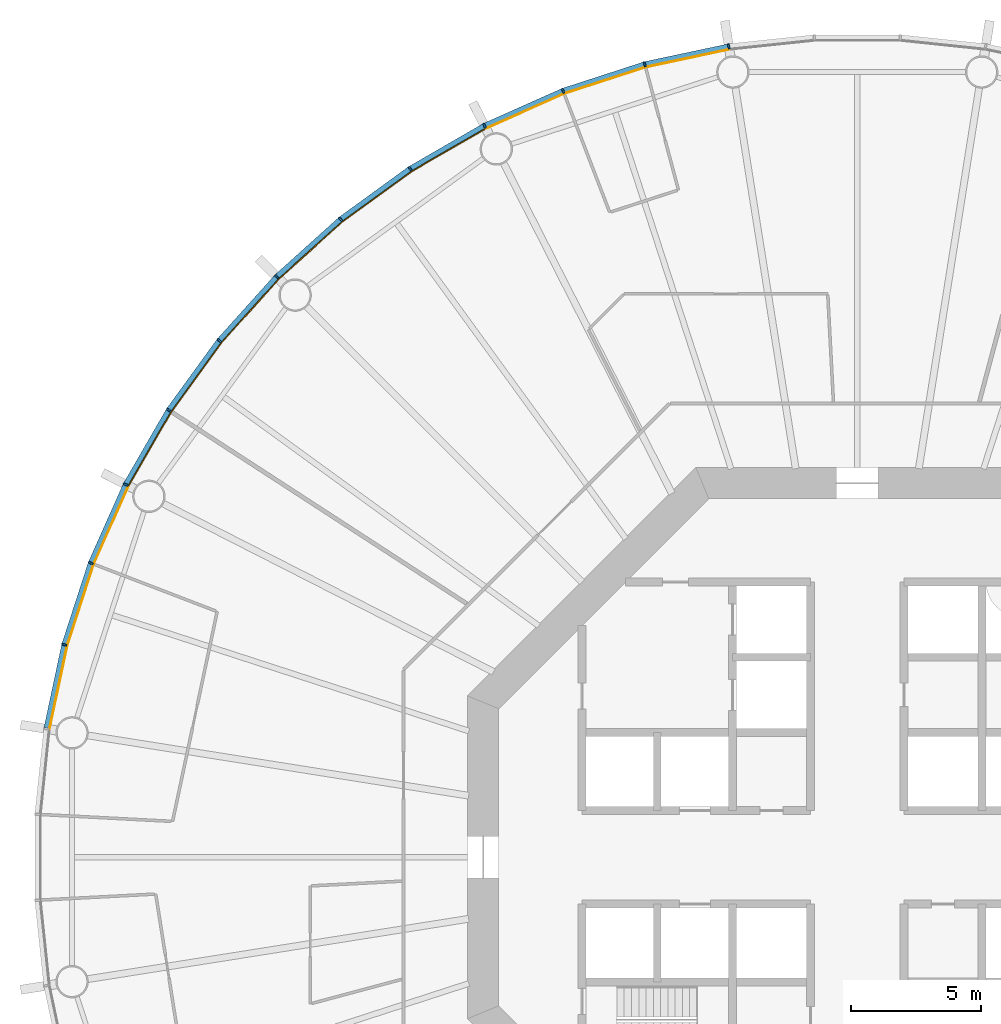
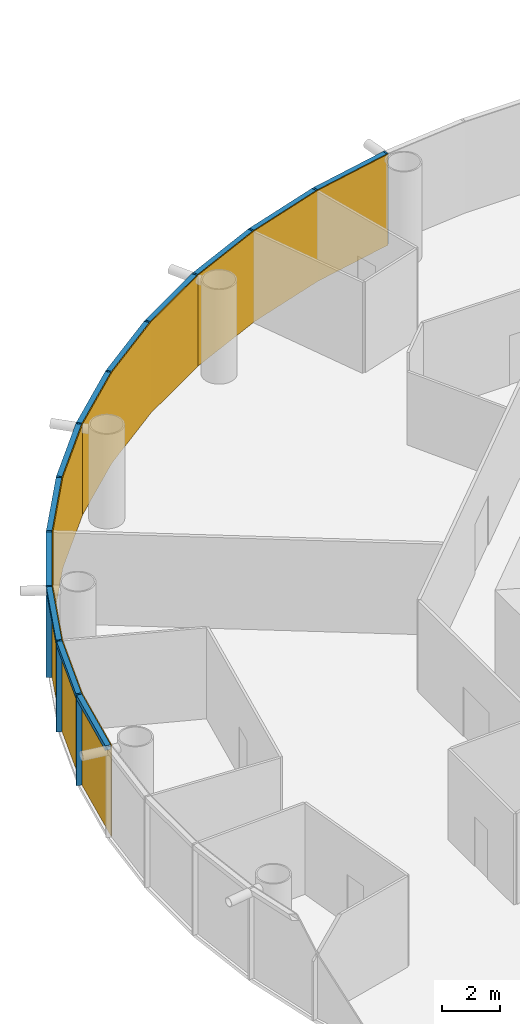
# One storey, part 10 of 13: 24 members, 4 curtain walls.
"""IFC4 building model written with IfcOpenShell, lengths in metres."""

import ifcopenshell
import ifcopenshell.guid

model = None  # the IFC model being written
_history = None  # IfcOwnerHistory: only IFC2X3 demands one
_inside = {}  # id of a spatial element -> (the spatial element, [elements in it])
_under = {}  # id of a project, library or spatial element -> (it, [spatial elements below it])
_declared = {}  # id of a project -> (the project, [libraries it declares])
_typed = {}  # id of a type object -> (the type object, [elements of that type])
_made_of = {}  # id of a material, layer set ... -> (it, [elements and type objects made of it])


def new_model(schema):
    """Start an empty IFC model of exactly this schema.

    Asked for "IFC4X3", IfcOpenShell would pick the latest addendum, in which some entities
    have other attributes; the version numbers below select the first issue.
    IFC2X3 requires an IfcOwnerHistory on every rooted entity: one is made here for all.
    """
    global model, _history
    if schema == "IFC4X3":
        model = ifcopenshell.file(schema_version=(4, 3, 0, 0))
    else:
        model = ifcopenshell.file(schema=schema)
    _inside.clear()
    _under.clear()
    _declared.clear()
    _typed.clear()
    _made_of.clear()
    _history = None
    if model.schema == "IFC2X3":
        org = make("IfcOrganization", Name="unknown")
        user = make(
            "IfcPersonAndOrganization",
            ThePerson=make("IfcPerson", FamilyName="unknown"),
            TheOrganization=org,
        )
        app = make(
            "IfcApplication",
            ApplicationDeveloper=org,
            Version="unknown",
            ApplicationFullName="unknown",
            ApplicationIdentifier="unknown",
        )
        _history = make(
            "IfcOwnerHistory",
            OwningUser=user,
            OwningApplication=app,
            ChangeAction="ADDED",
            CreationDate=0,
        )
    return model


def make(cls, **values):
    """One entity of the class cls with the attributes given. An attribute that is None is left unset."""
    return model.create_entity(
        cls, **{name: value for name, value in values.items() if value is not None}
    )


def rooted(cls, **values):
    """An entity with a GlobalId (a new one), such as an element, a storey or a relation."""
    return make(cls, GlobalId=ifcopenshell.guid.new(), OwnerHistory=_history, **values)


def si_unit(unit_type, name, prefix=None):
    """IfcSIUnit, for example si_unit("LENGTHUNIT", "METRE", prefix="MILLI")."""
    return make("IfcSIUnit", UnitType=unit_type, Prefix=prefix, Name=name)


def assignment(units):
    """IfcUnitAssignment: the units of a project."""
    return None if units is None else make("IfcUnitAssignment", Units=units)


def point(xyz):
    """IfcCartesianPoint."""
    return None if xyz is None else make("IfcCartesianPoint", Coordinates=xyz)


def direction(xyz):
    """IfcDirection."""
    return None if xyz is None else make("IfcDirection", DirectionRatios=xyz)


def frame(location, z_axis=None, x_axis=None):
    """IfcAxis2Placement3D, a coordinate frame: its origin and axes. An axis left out is left unset."""
    return make(
        "IfcAxis2Placement3D",
        Location=point(location),
        Axis=direction(z_axis),
        RefDirection=direction(x_axis),
    )


def frame_2d(location, x_axis=None):
    """IfcAxis2Placement2D, a coordinate frame in the plane: its origin and x axis."""
    return make(
        "IfcAxis2Placement2D", Location=point(location), RefDirection=direction(x_axis)
    )


def origin():
    """The frame at (0, 0, 0) with its axes left unset."""
    return frame((0.0, 0.0, 0.0))


def origin_2d():
    """The frame at (0, 0) in the plane with its x axis left unset."""
    return frame_2d((0.0, 0.0))


def place(relative_to, where):
    """IfcLocalPlacement: puts the frame where relative to a parent placement (None: the world)."""
    return make(
        "IfcLocalPlacement", PlacementRelTo=relative_to, RelativePlacement=where
    )


def context(
    kind, dimensions, precision=None, world=None, true_north=None, identifier=None
):
    """IfcGeometricRepresentationContext, for example the 3D "Model" context."""
    return make(
        "IfcGeometricRepresentationContext",
        ContextIdentifier=identifier,
        ContextType=kind,
        CoordinateSpaceDimension=dimensions,
        Precision=precision,
        WorldCoordinateSystem=world,
        TrueNorth=true_north,
    )


def subcontext(parent, identifier, kind, view, scale=None):
    """IfcGeometricRepresentationSubContext, for example "Body" below "Model"."""
    return make(
        "IfcGeometricRepresentationSubContext",
        ContextIdentifier=identifier,
        ContextType=kind,
        ParentContext=parent,
        TargetScale=scale,
        TargetView=view,
    )


def project(units=None, contexts=None):
    """IfcProject with its units and contexts."""
    return rooted(
        "IfcProject",
        Name="project",
        RepresentationContexts=contexts,
        UnitsInContext=assignment(units),
    )


def spatial(cls, under=None, at=None, **own):
    """A site, building, storey or space (cls), placed at a placement, below another one or the project."""
    s = rooted(cls, ObjectPlacement=at, **own)
    if under is not None:
        _under.setdefault(under.id(), (under, []))[1].append(s)
    return s


def polyline(points):
    """IfcPolyline through the points."""
    return make("IfcPolyline", Points=[point(p) for p in points])


def profile(cls, at=None, kind="AREA", **sizes):
    """A parametric profile (cls). Its sizes go by their IFC names, for example OverallWidth=200.0."""
    return make(cls, ProfileType=kind, Position=at, **sizes)


def rectangle(**sizes):
    """IfcRectangleProfileDef."""
    return profile("IfcRectangleProfileDef", **sizes)


def outline(outer, holes=None, kind="AREA"):
    """IfcArbitraryClosedProfileDef: a profile drawn as a closed curve; with holes, ...WithVoids."""
    if holes is None:
        return make("IfcArbitraryClosedProfileDef", ProfileType=kind, OuterCurve=outer)
    return make(
        "IfcArbitraryProfileDefWithVoids",
        ProfileType=kind,
        OuterCurve=outer,
        InnerCurves=holes,
    )


def extrude(swept, where, along, depth):
    """IfcExtrudedAreaSolid: the profile swept, set in the frame where, extruded along a direction by depth."""
    return make(
        "IfcExtrudedAreaSolid",
        SweptArea=swept,
        Position=where,
        ExtrudedDirection=direction(along),
        Depth=depth,
    )


def shape(context_of_items, identifier, shape_type, items):
    """IfcShapeRepresentation: the items that make up one representation, for example the "Body"."""
    return make(
        "IfcShapeRepresentation",
        ContextOfItems=context_of_items,
        RepresentationIdentifier=identifier,
        RepresentationType=shape_type,
        Items=items,
    )


def material(Name=None, Category=None):
    """IfcMaterial."""
    return make("IfcMaterial", Name=Name, Category=Category)


def layer(
    of_material, thickness, ventilated=None, Name=None, Category=None, Priority=None
):
    """IfcMaterialLayer: one layer of a wall or slab, of a material (None: an air gap)."""
    return make(
        "IfcMaterialLayer",
        Material=of_material,
        LayerThickness=thickness,
        IsVentilated=ventilated,
        Name=Name,
        Category=Category,
        Priority=Priority,
    )


def layer_set(layers, Name=None):
    """IfcMaterialLayerSet."""
    return make("IfcMaterialLayerSet", MaterialLayers=layers, LayerSetName=Name)


def material_profile(
    of_material, cross_section, Name=None, Category=None, Priority=None
):
    """IfcMaterialProfile: a cross section and its material."""
    return make(
        "IfcMaterialProfile",
        Name=Name,
        Material=of_material,
        Profile=cross_section,
        Priority=Priority,
        Category=Category,
    )


def profile_set(profiles, Name=None, composite=None):
    """IfcMaterialProfileSet."""
    return make(
        "IfcMaterialProfileSet",
        Name=Name,
        MaterialProfiles=profiles,
        CompositeProfile=composite,
    )


def made_of(thing, what):
    """Note that an element or type object is made of a material, layer set ...; save() writes the relation."""
    if what is not None:
        _made_of.setdefault(what.id(), (what, []))[1].append(thing)
    return thing


def type_object(cls, material=None, **own):
    """A type object (cls), such as IfcWallType, which elements share."""
    return made_of(rooted(cls, **own), material)


def element(
    cls,
    number,
    at=None,
    inside=None,
    cuts=None,
    type_object=None,
    material=None,
    context=None,
    identifier="Body",
    shape_type=None,
    held_by="IfcProductDefinitionShape",
    body=None,
    shapes=None,
    **own,
):
    """One element of the class cls, such as IfcWall. Its Tag is "e" and its number.

    at: its placement. inside: the storey or other place that contains it. cuts: it is an
    opening in that element (IfcRelVoidsElement). A single representation is given by context,
    identifier, shape_type and body (its items); several are given by shapes. held_by: the class
    of the entity that holds the representations. save() writes the other relations.
    """
    e = rooted(cls, Tag="e%d" % number, ObjectPlacement=at, **own)
    if body is not None:
        shapes = [shape(context, identifier, shape_type, body)]
    if shapes is not None:
        e.Representation = make(held_by, Representations=shapes)
    if inside is not None:
        _inside.setdefault(inside.id(), (inside, []))[1].append(e)
    if cuts is not None:
        rooted(
            "IfcRelVoidsElement", RelatingBuildingElement=cuts, RelatedOpeningElement=e
        )
    if type_object is not None:
        _typed.setdefault(type_object.id(), (type_object, []))[1].append(e)
    return made_of(e, material)


def aggregate(whole, parts):
    """IfcRelAggregates: a whole, such as a stair, and the parts it consists of."""
    return rooted("IfcRelAggregates", RelatingObject=whole, RelatedObjects=parts)


def save(model, path):
    """Write the relations noted so far, then the file.

    IfcRelAggregates (storeys below a building ...), IfcRelContainedInSpatialStructure (elements
    in a storey), IfcRelDefinesByType, IfcRelAssociatesMaterial and IfcRelDeclares: one each for
    every whole, place, type object, material and project.
    """
    for whole, parts in _under.values():
        aggregate(whole, parts)
    for where, things in _inside.values():
        rooted(
            "IfcRelContainedInSpatialStructure",
            RelatedElements=things,
            RelatingStructure=where,
        )
    for kind, things in _typed.values():
        rooted("IfcRelDefinesByType", RelatedObjects=things, RelatingType=kind)
    for what, things in _made_of.values():
        rooted("IfcRelAssociatesMaterial", RelatedObjects=things, RelatingMaterial=what)
    for by, libraries in _declared.values():
        rooted("IfcRelDeclares", RelatingContext=by, RelatedDefinitions=libraries)
    model.write(path)


model = new_model("IFC4")

# Units and contexts
model_context = context("Model", 3, precision=1e-05, world=origin(), true_north=direction((0.0, 1.0)))
body_context = subcontext(model_context, "Body", "Model", "MODEL_VIEW")
ifc_project = project(units=[si_unit("LENGTHUNIT", "METRE"), si_unit("AREAUNIT", "SQUARE_METRE"), si_unit("VOLUMEUNIT", "CUBIC_METRE"), si_unit("PLANEANGLEUNIT", "RADIAN"), si_unit("MASSUNIT", "GRAM", prefix="KILO")], contexts=[model_context])

# Member
ifc_material_1 = material(Name="Anodised aluminium", Category="aluminium")
ifc_material_profile_1 = material_profile(ifc_material_1, rectangle(XDim=0.070068359375, YDim=0.199951171875, at=origin_2d()), Name="Mullion 70 x 200 mm anodised aluminium")
ifc_profile_set_1 = profile_set([ifc_material_profile_1], Name="Anodised aluminium")
member_type_1 = type_object("IfcMemberType", Name="Mullion 70 x 200 mm anodised aluminium", PredefinedType="MULLION", material=ifc_profile_set_1)
site_placement = place(None, origin())
building_placement = place(site_placement, origin())
storey_placement = place(building_placement, frame((0.0, 0.0, 92.0)))
member_1_placement = place(storey_placement, frame((85.056640625, 111.2109375, 0.0), z_axis=(0.0, 0.0, 1.0), x_axis=(-0.987688340595, -0.15643446504, 0.0)))
member_1 = element("IfcMember", 1, at=member_1_placement, type_object=member_type_1, Name="MULLION L20-15", PredefinedType="MULLION", context=body_context, shape_type="SweptSolid", body=[
    extrude(rectangle(XDim=0.070068359375, YDim=0.199951171875, at=origin_2d()), origin(), (0.0, 0.0, 1.0), 3.85009765625),
])

member_2_placement = place(storey_placement, frame((81.8212890625, 110.523193359375, 0.0), z_axis=(0.0, 0.0, 1.0), x_axis=(-0.965925826289, -0.258819045103, 0.0)))
member_2 = element("IfcMember", 2, at=member_2_placement, type_object=member_type_1, Name="MULLION L20-16", PredefinedType="MULLION", context=body_context, shape_type="SweptSolid", body=[
    extrude(rectangle(XDim=0.070068359375, YDim=0.199951171875, at=origin_2d()), origin(), (0.0, 0.0, 1.0), 3.85009765625),
])

member_3_placement = place(storey_placement, frame((78.675537109375, 109.501220703125, 0.0), z_axis=(0.0, 0.0, 1.0), x_axis=(-0.933580426497, -0.358367949545, 0.0)))
member_3 = element("IfcMember", 3, at=member_3_placement, type_object=member_type_1, Name="MULLION L20-17", PredefinedType="MULLION", context=body_context, shape_type="SweptSolid", body=[
    extrude(rectangle(XDim=0.070068359375, YDim=0.199951171875, at=origin_2d()), origin(), (0.0, 0.0, 1.0), 3.85009765625),
])

member_4_placement = place(storey_placement, frame((75.65380859375, 108.15576171875, 0.0), z_axis=(0.0, 0.0, 1.0), x_axis=(-0.891006524188, -0.45399049974, 0.0)))
member_4 = element("IfcMember", 4, at=member_4_placement, type_object=member_type_1, Name="MULLION L20-18", PredefinedType="MULLION", context=body_context, shape_type="SweptSolid", body=[
    extrude(rectangle(XDim=0.070068359375, YDim=0.199951171875, at=origin_2d()), origin(), (0.0, 0.0, 1.0), 3.85009765625),
])

member_5_placement = place(storey_placement, frame((72.789306640625, 106.501953125, 0.0), z_axis=(0.0, 0.0, 1.0), x_axis=(-0.838670567945, -0.544639035015, 0.0)))
member_5 = element("IfcMember", 5, at=member_5_placement, type_object=member_type_1, Name="MULLION L20-19", PredefinedType="MULLION", context=body_context, shape_type="SweptSolid", body=[
    extrude(rectangle(XDim=0.070068359375, YDim=0.199951171875, at=origin_2d()), origin(), (0.0, 0.0, 1.0), 3.85009765625),
])

member_6_placement = place(storey_placement, frame((70.113525390625, 104.557861328125, 0.0), z_axis=(0.0, 0.0, 1.0), x_axis=(-0.777145961457, -0.62932039105, 0.0)))
member_6 = element("IfcMember", 6, at=member_6_placement, type_object=member_type_1, Name="MULLION L20-20", PredefinedType="MULLION", context=body_context, shape_type="SweptSolid", body=[
    extrude(rectangle(XDim=0.070068359375, YDim=0.199951171875, at=origin_2d()), origin(), (0.0, 0.0, 1.0), 3.85009765625),
])

member_7_placement = place(storey_placement, frame((67.655517578125, 102.344482421875, 0.0), z_axis=(0.0, 0.0, 1.0), x_axis=(-0.707106781187, -0.707106781187, 0.0)))
member_7 = element("IfcMember", 7, at=member_7_placement, type_object=member_type_1, Name="MULLION L20-21", PredefinedType="MULLION", context=body_context, shape_type="SweptSolid", body=[
    extrude(rectangle(XDim=0.070068359375, YDim=0.199951171875, at=origin_2d()), origin(), (0.0, 0.0, 1.0), 3.85009765625),
])

member_8_placement = place(storey_placement, frame((65.442138671875, 99.886474609375, 0.0), z_axis=(0.0, 0.0, 1.0), x_axis=(-0.62932039105, -0.777145961457, 0.0)))
member_8 = element("IfcMember", 8, at=member_8_placement, type_object=member_type_1, Name="MULLION L20-22", PredefinedType="MULLION", context=body_context, shape_type="SweptSolid", body=[
    extrude(rectangle(XDim=0.070068359375, YDim=0.199951171875, at=origin_2d()), origin(), (0.0, 0.0, 1.0), 3.85009765625),
])

member_9_placement = place(storey_placement, frame((63.498046875, 97.210693359375, 0.0), z_axis=(0.0, 0.0, 1.0), x_axis=(-0.544639035015, -0.838670567945, 0.0)))
member_9 = element("IfcMember", 9, at=member_9_placement, type_object=member_type_1, Name="MULLION L20-23", PredefinedType="MULLION", context=body_context, shape_type="SweptSolid", body=[
    extrude(rectangle(XDim=0.070068359375, YDim=0.199951171875, at=origin_2d()), origin(), (0.0, 0.0, 1.0), 3.85009765625),
])

member_10_placement = place(storey_placement, frame((61.84423828125, 94.34619140625, 0.0), z_axis=(0.0, 0.0, 1.0), x_axis=(-0.45399049974, -0.891006524188, 0.0)))
member_10 = element("IfcMember", 10, at=member_10_placement, type_object=member_type_1, Name="MULLION L20-24", PredefinedType="MULLION", context=body_context, shape_type="SweptSolid", body=[
    extrude(rectangle(XDim=0.070068359375, YDim=0.199951171875, at=origin_2d()), origin(), (0.0, 0.0, 1.0), 3.85009765625),
])

member_11_placement = place(storey_placement, frame((60.498779296875, 91.324462890625, 0.0), z_axis=(0.0, 0.0, 1.0), x_axis=(-0.358367949545, -0.933580426497, 0.0)))
member_11 = element("IfcMember", 11, at=member_11_placement, type_object=member_type_1, Name="MULLION L20-25", PredefinedType="MULLION", context=body_context, shape_type="SweptSolid", body=[
    extrude(rectangle(XDim=0.070068359375, YDim=0.199951171875, at=origin_2d()), origin(), (0.0, 0.0, 1.0), 3.85009765625),
])

member_12_placement = place(storey_placement, frame((59.476806640625, 88.1787109375, 0.0), z_axis=(0.0, 0.0, 1.0), x_axis=(-0.258819045103, -0.965925826289, 0.0)))
member_12 = element("IfcMember", 12, at=member_12_placement, type_object=member_type_1, Name="MULLION L20-26", PredefinedType="MULLION", context=body_context, shape_type="SweptSolid", body=[
    extrude(rectangle(XDim=0.070068359375, YDim=0.199951171875, at=origin_2d()), origin(), (0.0, 0.0, 1.0), 3.85009765625),
])

ifc_material_2 = material(Name="Anodised aluminium", Category="aluminium")
ifc_material_profile_2 = material_profile(ifc_material_2, rectangle(XDim=0.199951171875, YDim=0.18994140625, at=origin_2d()), Name="Transom 190 x 200 mm anodised aluminium")
ifc_profile_set_2 = profile_set([ifc_material_profile_2], Name="Anodised aluminium")
member_type_2 = type_object("IfcMemberType", Name="Transom 190 x 200 mm anodised aluminium", PredefinedType="USERDEFINED", material=ifc_profile_set_2)
member_13_placement = place(storey_placement, frame((85.017333984375, 111.20263671875, 3.7548828125), z_axis=(-0.978153082647, -0.207885898771, 0.0), x_axis=(0.207885898771, -0.978153082647, 0.0)))
member_13 = element("IfcMember", 13, at=member_13_placement, type_object=member_type_2, Name="TRANSOM L20-15", ObjectType="TRANSOM", PredefinedType="USERDEFINED", context=body_context, shape_type="SweptSolid", body=[
    extrude(rectangle(XDim=0.199951171875, YDim=0.18994140625, at=origin_2d()), origin(), (0.0, 0.0, 1.0), 3.227294921875),
])

member_14_placement = place(storey_placement, frame((81.782958984375, 110.510986328125, 3.7548828125), z_axis=(-0.951046855117, -0.309046726844, 0.0), x_axis=(0.309046726844, -0.951046855117, 0.0)))
member_14 = element("IfcMember", 14, at=member_14_placement, type_object=member_type_2, Name="TRANSOM L20-16", ObjectType="TRANSOM", PredefinedType="USERDEFINED", context=body_context, shape_type="SweptSolid", body=[
    extrude(rectangle(XDim=0.199951171875, YDim=0.18994140625, at=origin_2d()), origin(), (0.0, 0.0, 1.0), 3.22705078125),
])

member_15_placement = place(storey_placement, frame((78.638671875, 109.48486328125, 3.7548828125), z_axis=(-0.913549291349, -0.406728032322, 0.0), x_axis=(0.406728032322, -0.913549291349, 0.0)))
member_15 = element("IfcMember", 15, at=member_15_placement, type_object=member_type_2, Name="TRANSOM L20-17", ObjectType="TRANSOM", PredefinedType="USERDEFINED", context=body_context, shape_type="SweptSolid", body=[
    extrude(rectangle(XDim=0.199951171875, YDim=0.18994140625, at=origin_2d()), origin(), (0.0, 0.0, 1.0), 3.22705078125),
])

member_16_placement = place(storey_placement, frame((75.618896484375, 108.1357421875, 3.7548828125), z_axis=(-0.866023062494, -0.500004055213, 0.0), x_axis=(0.500004055213, -0.866023062494, 0.0)))
member_16 = element("IfcMember", 16, at=member_16_placement, type_object=member_type_2, Name="TRANSOM L20-18", ObjectType="TRANSOM", PredefinedType="USERDEFINED", context=body_context, shape_type="SweptSolid", body=[
    extrude(rectangle(XDim=0.199951171875, YDim=0.18994140625, at=origin_2d()), origin(), (0.0, 0.0, 1.0), 3.22705078125),
])

member_17_placement = place(storey_placement, frame((72.7568359375, 106.478515625, 3.7548828125), z_axis=(-0.809004252048, -0.587802790201, 0.0), x_axis=(0.587802790201, -0.809004252048, 0.0)))
member_17 = element("IfcMember", 17, at=member_17_placement, type_object=member_type_2, Name="TRANSOM L20-19", ObjectType="TRANSOM", PredefinedType="USERDEFINED", context=body_context, shape_type="SweptSolid", body=[
    extrude(rectangle(XDim=0.199951171875, YDim=0.18994140625, at=origin_2d()), origin(), (0.0, 0.0, 1.0), 3.227294921875),
])

member_18_placement = place(storey_placement, frame((70.08349609375, 104.531005859375, 3.7548828125), z_axis=(-0.743132370743, -0.669144438484, 0.0), x_axis=(0.669144438484, -0.743132370743, 0.0)))
member_18 = element("IfcMember", 18, at=member_18_placement, type_object=member_type_2, Name="TRANSOM L20-20", ObjectType="TRANSOM", PredefinedType="USERDEFINED", context=body_context, shape_type="SweptSolid", body=[
    extrude(rectangle(XDim=0.199951171875, YDim=0.18994140625, at=origin_2d()), origin(), (0.0, 0.0, 1.0), 3.22705078125),
])

member_19_placement = place(storey_placement, frame((67.62841796875, 102.314697265625, 3.7548828125), z_axis=(-0.669144438484, -0.743132370743, 0.0), x_axis=(0.743132370743, -0.669144438484, 0.0)))
member_19 = element("IfcMember", 19, at=member_19_placement, type_object=member_type_2, Name="TRANSOM L20-21", ObjectType="TRANSOM", PredefinedType="USERDEFINED", context=body_context, shape_type="SweptSolid", body=[
    extrude(rectangle(XDim=0.199951171875, YDim=0.18994140625, at=origin_2d()), origin(), (0.0, 0.0, 1.0), 3.22705078125),
])

member_20_placement = place(storey_placement, frame((65.41845703125, 99.85400390625, 3.7548828125), z_axis=(-0.587802790201, -0.809004252048, 0.0), x_axis=(0.809004252048, -0.587802790201, 0.0)))
member_20 = element("IfcMember", 20, at=member_20_placement, type_object=member_type_2, Name="TRANSOM L20-22", ObjectType="TRANSOM", PredefinedType="USERDEFINED", context=body_context, shape_type="SweptSolid", body=[
    extrude(rectangle(XDim=0.199951171875, YDim=0.18994140625, at=origin_2d()), origin(), (0.0, 0.0, 1.0), 3.227294921875),
])

member_21_placement = place(storey_placement, frame((63.477783203125, 97.17578125, 3.7548828125), z_axis=(-0.500004055213, -0.866023062494, 0.0), x_axis=(0.866023062494, -0.500004055213, 0.0)))
member_21 = element("IfcMember", 21, at=member_21_placement, type_object=member_type_2, Name="TRANSOM L20-23", ObjectType="TRANSOM", PredefinedType="USERDEFINED", context=body_context, shape_type="SweptSolid", body=[
    extrude(rectangle(XDim=0.199951171875, YDim=0.18994140625, at=origin_2d()), origin(), (0.0, 0.0, 1.0), 3.22705078125),
])

member_22_placement = place(storey_placement, frame((61.82763671875, 94.309326171875, 3.7548828125), z_axis=(-0.406728032322, -0.913549291349, 0.0), x_axis=(0.913549291349, -0.406728032322, 0.0)))
member_22 = element("IfcMember", 22, at=member_22_placement, type_object=member_type_2, Name="TRANSOM L20-24", ObjectType="TRANSOM", PredefinedType="USERDEFINED", context=body_context, shape_type="SweptSolid", body=[
    extrude(rectangle(XDim=0.199951171875, YDim=0.18994140625, at=origin_2d()), origin(), (0.0, 0.0, 1.0), 3.22705078125),
])

member_23_placement = place(storey_placement, frame((60.486328125, 91.2861328125, 3.7548828125), z_axis=(-0.309046726844, -0.951046855117, 0.0), x_axis=(0.951046855117, -0.309046726844, 0.0)))
member_23 = element("IfcMember", 23, at=member_23_placement, type_object=member_type_2, Name="TRANSOM L20-25", ObjectType="TRANSOM", PredefinedType="USERDEFINED", context=body_context, shape_type="SweptSolid", body=[
    extrude(rectangle(XDim=0.199951171875, YDim=0.18994140625, at=origin_2d()), origin(), (0.0, 0.0, 1.0), 3.22705078125),
])

member_24_placement = place(storey_placement, frame((59.46826171875, 88.139404296875, 3.7548828125), z_axis=(-0.207885898771, -0.978153082647, 0.0), x_axis=(0.978153082647, -0.207885898771, 0.0)))
member_24 = element("IfcMember", 24, at=member_24_placement, type_object=member_type_2, Name="TRANSOM L20-26", ObjectType="TRANSOM", PredefinedType="USERDEFINED", context=body_context, shape_type="SweptSolid", body=[
    extrude(rectangle(XDim=0.199951171875, YDim=0.18994140625, at=origin_2d()), origin(), (0.0, 0.0, 1.0), 3.227294921875),
])

# Site, building, storey
site = spatial("IfcSite", under=ifc_project, at=site_placement, CompositionType="ELEMENT")
building = spatial("IfcBuilding", under=site, at=building_placement, Name="Entoto Ring Tower", CompositionType="ELEMENT")
storey = spatial("IfcBuildingStorey", under=building, at=storey_placement, Name="L20", CompositionType="ELEMENT", Elevation=92.0)

# Curtain wall
ifc_material_3 = material(Name="Clear low-iron glass", Category="glass")
ifc_layer = layer(ifc_material_3, 0.035888671875)
ifc_layer_set = layer_set([ifc_layer], Name="Clear low-iron glass")
curtain_wall_type = type_object("IfcCurtainWallType", Name="Curtain wall system CW2 glazing 36 mm", PredefinedType="NOTDEFINED", material=ifc_layer_set)
curtain_wall_1_placement = place(storey_placement, origin())
curtain_wall_1 = element("IfcCurtainWall", 25, at=curtain_wall_1_placement, inside=storey, type_object=curtain_wall_type, Name="CW2 L20-06", PredefinedType="NOTDEFINED", context=body_context, shape_type="SweptSolid", body=[
    extrude(outline(polyline([(85.072265625, 111.1123046875), (81.84716796875, 110.4267578125), (78.71142578125, 109.40771484375), (75.69921875, 108.066650390625), (75.715576171875, 108.03466796875), (78.724365234375, 109.3740234375), (81.8564453125, 110.391845703125), (85.077880859375, 111.07666015625), (85.072265625, 111.1123046875)])), origin(), (0.0, 0.0, 1.0), 3.85009765625),
])

aggregate(curtain_wall_1, [member_1, member_2, member_3, member_13, member_14, member_15])

curtain_wall_2_placement = place(storey_placement, origin())
curtain_wall_2 = element("IfcCurtainWall", 26, at=curtain_wall_2_placement, inside=storey, type_object=curtain_wall_type, Name="CW2 L20-07", PredefinedType="NOTDEFINED", context=body_context, shape_type="SweptSolid", body=[
    extrude(outline(polyline([(75.69921875, 108.066650390625), (72.84375, 106.418212890625), (70.176513671875, 104.47998046875), (67.72607421875, 102.27392578125), (67.751708984375, 102.248291015625), (70.198974609375, 104.4521484375), (72.863525390625, 106.387939453125), (75.715576171875, 108.03466796875), (75.69921875, 108.066650390625)])), origin(), (0.0, 0.0, 1.0), 3.85009765625),
])

aggregate(curtain_wall_2, [member_4, member_5, member_6, member_16, member_17, member_18])

curtain_wall_3_placement = place(storey_placement, origin())
curtain_wall_3 = element("IfcCurtainWall", 27, at=curtain_wall_3_placement, inside=storey, type_object=curtain_wall_type, Name="CW2 L20-08", PredefinedType="NOTDEFINED", context=body_context, shape_type="SweptSolid", body=[
    extrude(outline(polyline([(67.72607421875, 102.27392578125), (65.52001953125, 99.823486328125), (63.581787109375, 97.15625), (61.933349609375, 94.30078125), (61.96533203125, 94.284423828125), (63.612060546875, 97.136474609375), (65.5478515625, 99.801025390625), (67.751708984375, 102.248291015625), (67.72607421875, 102.27392578125)])), origin(), (0.0, 0.0, 1.0), 3.85009765625),
])

aggregate(curtain_wall_3, [member_7, member_8, member_9, member_19, member_20, member_21])

curtain_wall_4_placement = place(storey_placement, origin())
curtain_wall_4 = element("IfcCurtainWall", 28, at=curtain_wall_4_placement, inside=storey, type_object=curtain_wall_type, Name="CW2 L20-09", PredefinedType="NOTDEFINED", context=body_context, shape_type="SweptSolid", body=[
    extrude(outline(polyline([(61.933349609375, 94.30078125), (60.59228515625, 91.28857421875), (59.5732421875, 88.15283203125), (58.8876953125, 84.927734375), (58.92333984375, 84.922119140625), (59.608154296875, 88.1435546875), (60.6259765625, 91.275634765625), (61.96533203125, 94.284423828125), (61.933349609375, 94.30078125)])), origin(), (0.0, 0.0, 1.0), 3.85009765625),
])

aggregate(curtain_wall_4, [member_10, member_11, member_12, member_22, member_23, member_24])

save(model, "model.ifc")
